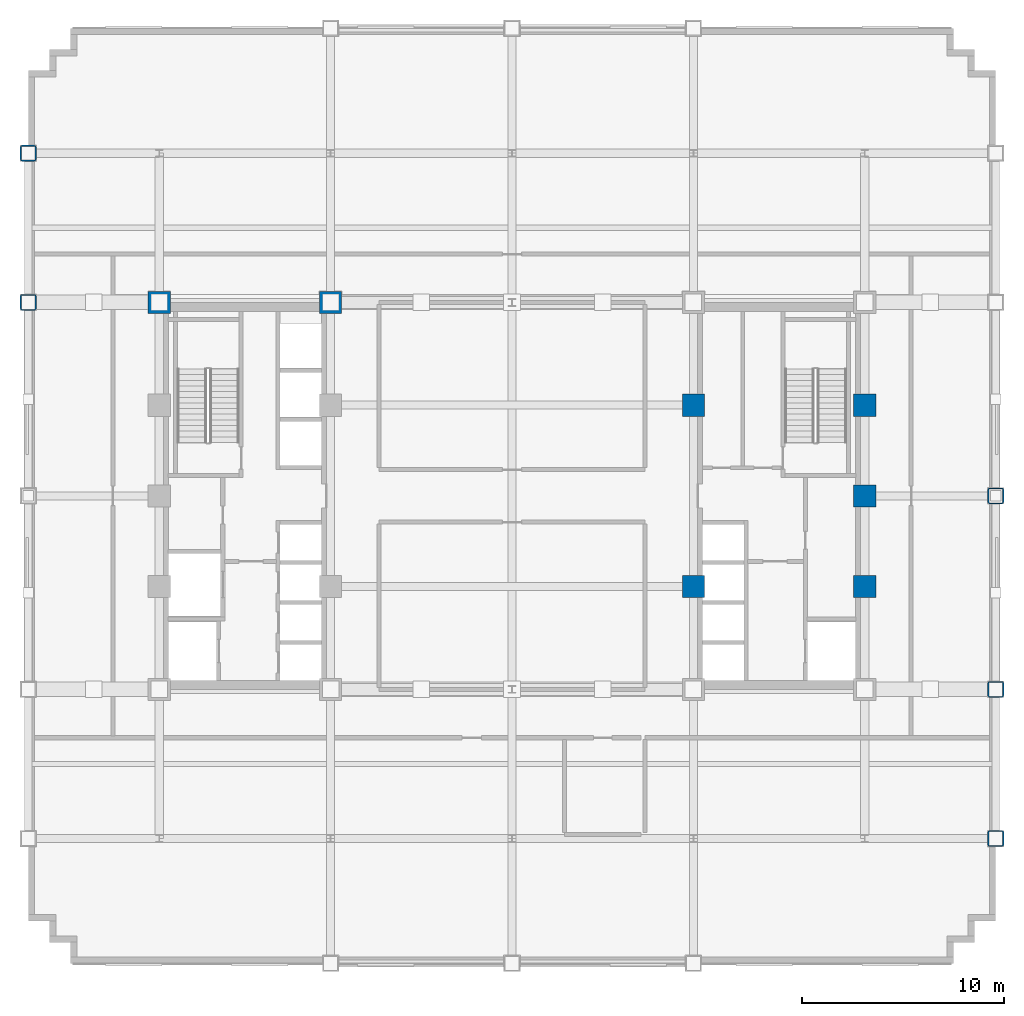
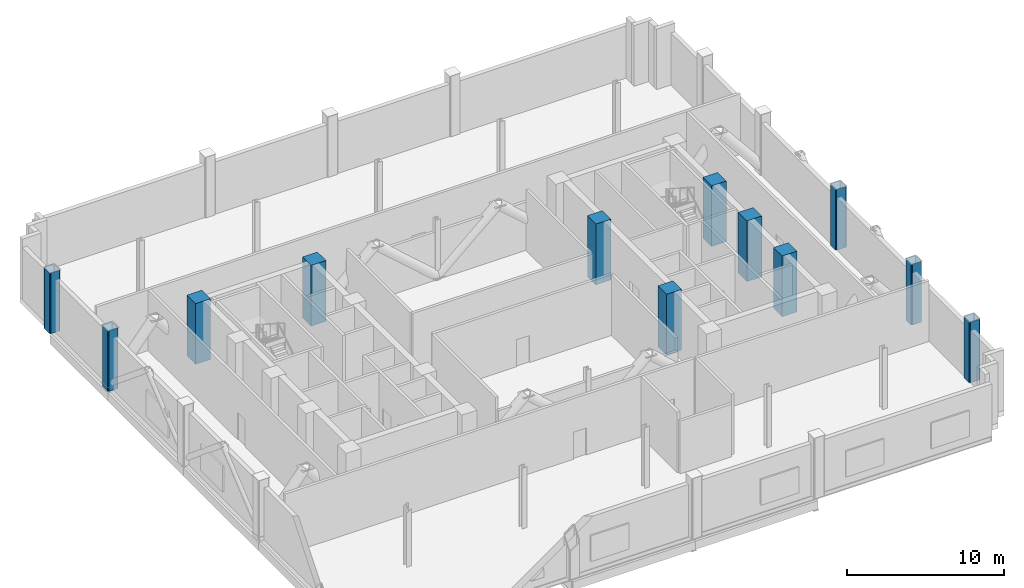
# One storey, part 2 of 12: 12 columns.
"""IFC4 building model written with IfcOpenShell, lengths in metres."""

from ifc_helpers import new_model, si_unit, direction, frame, origin, origin_2d, place, context, subcontext, project, spatial, rectangle, hollow_rectangle, extrude, material, material_profile, profile_set, type_object, element, save


model = new_model("IFC4")

# Units and contexts
model_context = context("Model", 3, precision=1e-05, world=origin(), true_north=direction((0.0, 1.0)))
body_context = subcontext(model_context, "Body", "Model", "MODEL_VIEW")
ifc_project = project(units=[si_unit("LENGTHUNIT", "METRE"), si_unit("AREAUNIT", "SQUARE_METRE"), si_unit("VOLUMEUNIT", "CUBIC_METRE"), si_unit("PLANEANGLEUNIT", "RADIAN"), si_unit("MASSUNIT", "GRAM", prefix="KILO")], contexts=[model_context])

# Site, building, storey
site_placement = place(None, origin())
site = spatial("IfcSite", under=ifc_project, at=site_placement, CompositionType="ELEMENT")
building_placement = place(site_placement, origin())
building = spatial("IfcBuilding", under=site, at=building_placement, Name="Nuvemarco Arch Tower", CompositionType="ELEMENT")
storey_placement = place(building_placement, frame((0.0, 0.0, 93.300048828125)))
storey = spatial("IfcBuildingStorey", under=building, at=storey_placement, Name="L24", CompositionType="ELEMENT", Elevation=93.300048828125)

# Columns
ifc_material_1 = material(Name="Concrete C60/75", Category="concrete")
ifc_material_profile_1 = material_profile(ifc_material_1, rectangle(XDim=1.10009765625, YDim=1.10009765625, at=origin_2d()), Name="RC-COL-1100x1100")
ifc_profile_set_1 = profile_set([ifc_material_profile_1], Name="Concrete C60/75")
column_type_1 = type_object("IfcColumnType", Name="COL-CORE-1100", PredefinedType="COLUMN", material=ifc_profile_set_1)
for number, where, z_axis, x_axis, name in (
    (1, (-17.5, 9.60009765625, 0.0), (0.0, 0.0, 1.0), (1.0, 0.0, 0.0), "L24 column CC_-17.5_+9.6"),
    (2, (-9.0, 9.60009765625, 0.0), (0.0, 0.0, 1.0), (1.0, 0.0, 0.0), "L24 column CC_-9.0_+9.6"),
    (3, (9.0, -4.5, 0.0), (0.0, 0.0, 1.0), (1.0, 0.0, 0.0), "L24 column CC_+9.0_-4.5"),
    (4, (9.0, 4.5, 0.0), (0.0, 0.0, 1.0), (1.0, 0.0, 0.0), "L24 column CC_+9.0_+4.5"),
    (5, (17.5, -4.5, 0.0), (0.0, 0.0, 1.0), (1.0, 0.0, 0.0), "L24 column CC_+17.5_-4.5"),
    (6, (17.5, 4.5, 0.0), (0.0, 0.0, 1.0), (1.0, 0.0, 0.0), "L24 column CC_+17.5_+4.5"),
    (7, (17.5, 0.0, 0.0), (0.0, 0.0, 1.0), (1.0, 0.0, 0.0), "L24 column CC_+17.5_+0.0"),
):
    element("IfcColumn", number, at=place(storey_placement, frame(where, z_axis=z_axis, x_axis=x_axis)), inside=storey, type_object=column_type_1, Name=name, PredefinedType="COLUMN", context=body_context, shape_type="SweptSolid", body=[
        extrude(rectangle(XDim=1.10009765625, YDim=1.10009765625, at=origin_2d()), origin(), (0.0, 0.0, 1.0), 4.719970703125),
    ])
ifc_material_2 = material(Name="Steel S460", Category="steel")
ifc_material_profile_2 = material_profile(ifc_material_2, hollow_rectangle(XDim=0.800048828125, YDim=0.800048828125, WallThickness=0.054931640625, InnerFilletRadius=0.054931640625, OuterFilletRadius=0.110107421875, at=origin_2d()), Name="SHS800x800x55")
ifc_profile_set_2 = profile_set([ifc_material_profile_2], Name="Steel S460")
column_type_2 = type_object("IfcColumnType", Name="COL-EXO-800", PredefinedType="COLUMN", material=ifc_profile_set_2)
for number, where, z_axis, x_axis, name in (
    (8, (-24.0, 9.60009765625, 0.0), (0.0, 0.0, 1.0), (1.0, 0.0, 0.0), "L24 column CX_-24.0_+9.6"),
    (9, (-24.0, 17.0, 0.0), (0.0, 0.0, 1.0), (1.0, 0.0, 0.0), "L24 column CX_-24.0_+17.0"),
    (10, (24.0, -17.0, 0.0), (0.0, 0.0, 1.0), (1.0, 0.0, 0.0), "L24 column CX_+24.0_-17.0"),
    (11, (24.0, -9.60009765625, 0.0), (0.0, 0.0, 1.0), (1.0, 0.0, 0.0), "L24 column CX_+24.0_-9.6"),
    (12, (24.0, 0.0, 0.0), (0.0, 0.0, 1.0), (1.0, 0.0, 0.0), "L24 column CX_+24.0_+0.0"),
):
    element("IfcColumn", number, at=place(storey_placement, frame(where, z_axis=z_axis, x_axis=x_axis)), inside=storey, type_object=column_type_2, Name=name, PredefinedType="COLUMN", context=body_context, shape_type="SweptSolid", body=[
        extrude(hollow_rectangle(XDim=0.800048828125, YDim=0.800048828125, WallThickness=0.054931640625, InnerFilletRadius=0.054931640625, OuterFilletRadius=0.110107421875, at=origin_2d()), origin(), (0.0, 0.0, 1.0), 4.719970703125),
    ])

save(model, "model.ifc")
